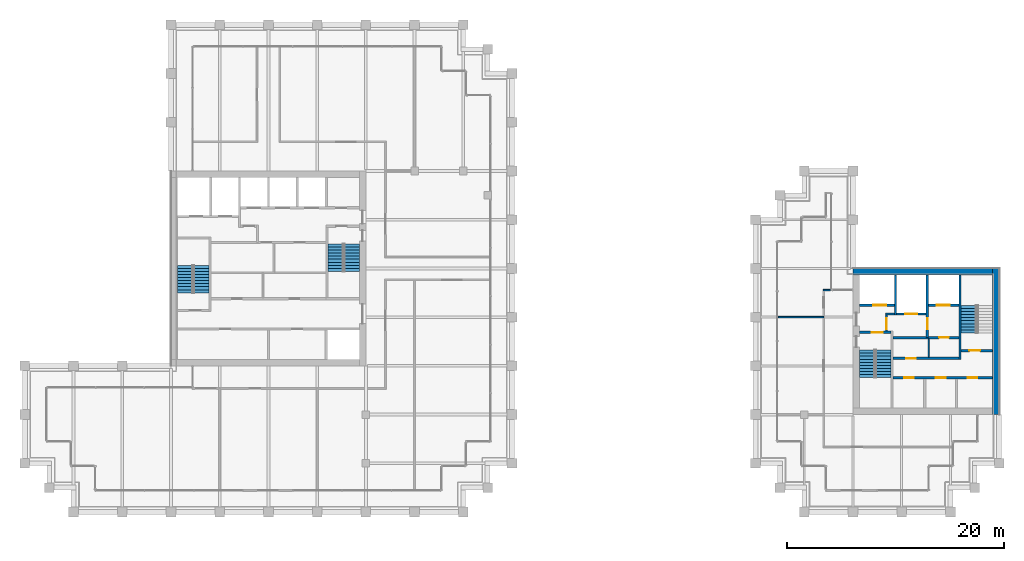
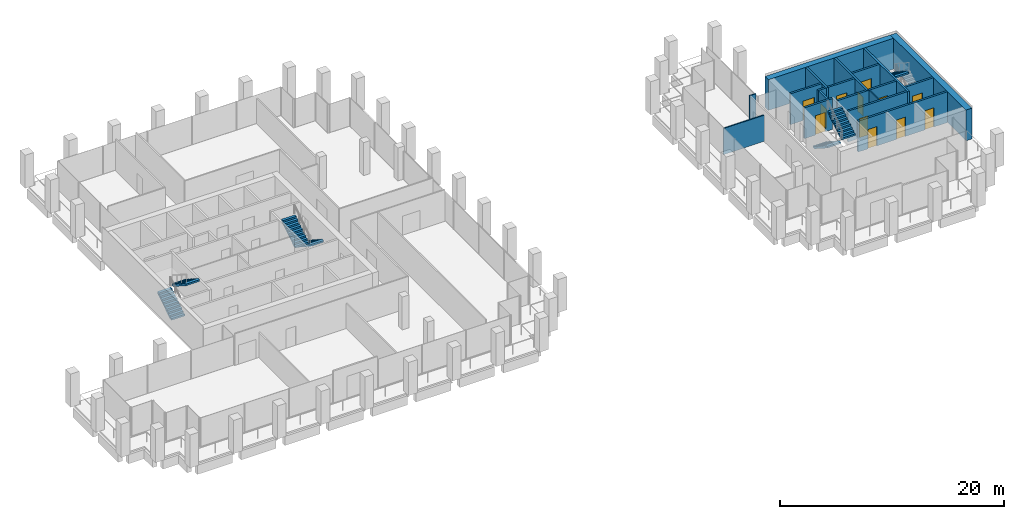
# One storey, part 38 of 40: 18 walls, 12 doors, 7 stair flights, 12 openings, 4 elements without a shape of their own.
"""IFC4 building model written with IfcOpenShell, lengths in metres."""

from ifc_helpers import new_model, si_unit, direction, frame, frame_2d, origin, place, context, subcontext, project, spatial, polyline, rectangle, outline, extrude, material, layer, layer_set, type_object, element, fill, aggregate, save


model = new_model("IFC4")

# Units and contexts
model_context = context("Model", 3, precision=1e-05, world=origin(), true_north=direction((0.0, 1.0)))
body_context = subcontext(model_context, "Body", "Model", "MODEL_VIEW")
ifc_project = project(units=[si_unit("LENGTHUNIT", "METRE"), si_unit("AREAUNIT", "SQUARE_METRE"), si_unit("VOLUMEUNIT", "CUBIC_METRE"), si_unit("PLANEANGLEUNIT", "RADIAN"), si_unit("MASSUNIT", "GRAM", prefix="KILO")], contexts=[model_context])

# Site, building, storey
site_placement = place(None, origin())
site = spatial("IfcSite", under=ifc_project, at=site_placement, CompositionType="ELEMENT")
building_placement = place(site_placement, origin())
building = spatial("IfcBuilding", under=site, at=building_placement, Name="Altepetl Exchange Towers", CompositionType="ELEMENT")
storey_placement = place(building_placement, frame((0.0, 0.0, 158.199951171875)))
storey = spatial("IfcBuildingStorey", under=building, at=storey_placement, Name="L39", CompositionType="ELEMENT", Elevation=158.199951171875)

# Walls
ifc_material_1 = material(Name="Concrete C70/85", Category="concrete")
ifc_layer_1 = layer(ifc_material_1, 0.60009765625)
ifc_layer_set_1 = layer_set([ifc_layer_1], Name="Concrete C70/85")
wall_type_1 = type_object("IfcWallType", Name="Core wall 600 reinforced concrete external", PredefinedType="SHEAR", material=ifc_layer_set_1)
wall_1_placement = place(storey_placement, frame((116.699951171875, 36.0, 0.0), z_axis=(0.0, 0.0, 1.0), x_axis=(0.0, 1.0, 0.0)))
element("IfcWall", 1, at=wall_1_placement, inside=storey, type_object=wall_type_1, Name="wall:B:L39:K-coreE", PredefinedType="SHEAR", context=body_context, shape_type="SweptSolid", body=[
    extrude(rectangle(XDim=13.5, YDim=0.60009765625, at=frame_2d((6.75, 0.0))), origin(), (0.0, 0.0, 1.0), 3.35009765625),
])
wall_2_placement = place(storey_placement, frame((103.5, 49.199951171875, 0.0)))
element("IfcWall", 2, at=wall_2_placement, inside=storey, type_object=wall_type_1, Name="wall:B:L39:K-coreN", PredefinedType="SHEAR", context=body_context, shape_type="SweptSolid", body=[
    extrude(rectangle(XDim=12.89990234375, YDim=0.60009765625, at=frame_2d((6.449951171875, 0.0))), origin(), (0.0, 0.0, 1.0), 3.35009765625),
])
ifc_material_2 = material(Name="Concrete blockwork", Category="masonry")
ifc_layer_2 = layer(ifc_material_2, 0.199951171875)
ifc_layer_set_2 = layer_set([ifc_layer_2], Name="Concrete blockwork")
wall_type_2 = type_object("IfcWallType", Name="Lobby wall 200 blockwork", PredefinedType="PARTITIONING", material=ifc_layer_set_2)
wall_3_placement = place(storey_placement, frame((106.5, 45.300048828125, 0.0)))
element("IfcWall", 3, at=wall_3_placement, inside=storey, type_object=wall_type_2, Name="wall:B:L39:K-ffNw", PredefinedType="PARTITIONING", context=body_context, shape_type="SweptSolid", body=[
    extrude(rectangle(XDim=0.833251953125, YDim=0.199951171875, at=frame_2d((0.41650390625, 0.0))), origin(), (0.0, 0.0, 1.0), 3.35009765625),
])

# Wall, opening, door
wall_4_placement = place(storey_placement, frame((106.60009765625, 43.699951171875, 0.0), z_axis=(0.0, 0.0, 1.0), x_axis=(0.0, 1.0, 0.0)))
wall_4 = element("IfcWall", 4, at=wall_4_placement, inside=storey, type_object=wall_type_2, Name="wall:B:L39:K-ffW", PredefinedType="PARTITIONING", context=body_context, shape_type="SweptSolid", body=[
    extrude(rectangle(XDim=1.5, YDim=0.199951171875, at=frame_2d((0.75, 0.0))), origin(), (0.0, 0.0, 1.0), 3.35009765625),
])
opening_1_placement = place(wall_4_placement, frame((0.199951171875, 0.0, 0.0)))
opening_1 = element("IfcOpeningElement", 5, at=opening_1_placement, cuts=wall_4, Name="Opening L39.B65", PredefinedType="OPENING", context=body_context, shape_type="SweptSolid", body=[
    extrude(rectangle(XDim=1.0, YDim=2.10009765625, at=frame_2d((0.5, 1.050048828125))), frame((0.0, 0.10986328125, 0.0), z_axis=(0.0, -1.0, 0.0), x_axis=(1.0, 0.0, 0.0)), (0.0, 0.0, 1.0), 0.219970703125),
])
ifc_material_3 = material(Name="Steel and timber fire door", Category="steel")
door_type_1 = type_object("IfcDoorType", Name="Fire door 1000 x 2100 stair and lobby", OperationType="SINGLE_SWING_LEFT", PredefinedType="DOOR", material=ifc_material_3)
door_1_placement = place(opening_1_placement, frame((1.0, 0.0, 0.0), x_axis=(-1.0, 0.0, 0.0)))
door_1 = element("IfcDoor", 6, at=door_1_placement, inside=storey, type_object=door_type_1, Name="door:B:L39:K-dffW", OperationType="SINGLE_SWING_LEFT", OverallHeight=2.10009765625, OverallWidth=1.0, PredefinedType="DOOR", context=body_context, shape_type="SweptSolid", body=[
    extrude(rectangle(XDim=1.0, YDim=2.10009765625, at=frame_2d((0.5, 1.050048828125))), frame((0.0, 0.02490234375, 0.0), z_axis=(0.0, -1.0, 0.0), x_axis=(1.0, 0.0, 0.0)), (0.0, 0.0, 1.0), 0.050048828125),
])
fill(opening_1, door_1)

wall_5_placement = place(storey_placement, frame((107.199951171875, 43.10009765625, 0.0)))
wall_5 = element("IfcWall", 7, at=wall_5_placement, inside=storey, type_object=wall_type_2, Name="wall:B:L39:K-zoneN", PredefinedType="PARTITIONING", context=body_context, shape_type="SweptSolid", body=[
    extrude(rectangle(XDim=6.10009765625, YDim=0.199951171875, at=frame_2d((3.050048828125, 0.0))), origin(), (0.0, 0.0, 1.0), 3.35009765625),
])
opening_2_placement = place(wall_5_placement, frame((4.258544921875, 0.0, 0.0)))
opening_2 = element("IfcOpeningElement", 8, at=opening_2_placement, cuts=wall_5, Name="Opening L39.B70", PredefinedType="OPENING", context=body_context, shape_type="SweptSolid", body=[
    extrude(rectangle(XDim=0.89990234375, YDim=2.10009765625, at=frame_2d((0.449951171875, 1.050048828125))), frame((0.0, 0.10986328125, 0.0), z_axis=(0.0, -1.0, 0.0), x_axis=(1.0, 0.0, 0.0)), (0.0, 0.0, 1.0), 0.219970703125),
])
door_type_2 = type_object("IfcDoorType", Name="Fire door 900 x 2100 service room", OperationType="SINGLE_SWING_LEFT", PredefinedType="DOOR", material=ifc_material_3)
door_2_placement = place(opening_2_placement, frame((0.89990234375, 0.0, 0.0), x_axis=(-1.0, 0.0, 0.0)))
door_2 = element("IfcDoor", 9, at=door_2_placement, inside=storey, type_object=door_type_2, Name="door:B:L39:K-dz2", OperationType="SINGLE_SWING_LEFT", OverallHeight=2.10009765625, OverallWidth=0.89990234375, PredefinedType="DOOR", context=body_context, shape_type="SweptSolid", body=[
    extrude(rectangle(XDim=0.89990234375, YDim=2.10009765625, at=frame_2d((0.449951171875, 1.050048828125))), frame((0.0, 0.02490234375, 0.0), z_axis=(0.0, -1.0, 0.0), x_axis=(1.0, 0.0, 0.0)), (0.0, 0.0, 1.0), 0.050048828125),
])
fill(opening_2, door_2)

wall_6_placement = place(storey_placement, frame((107.199951171875, 41.199951171875, 0.0)))
wall_6 = element("IfcWall", 10, at=wall_6_placement, inside=storey, type_object=wall_type_2, Name="wall:B:L39:K-zoneS", PredefinedType="PARTITIONING", context=body_context, shape_type="SweptSolid", body=[
    extrude(rectangle(XDim=6.10009765625, YDim=0.199951171875, at=frame_2d((3.050048828125, 0.0))), origin(), (0.0, 0.0, 1.0), 3.35009765625),
])
opening_3_placement = place(wall_6_placement, frame((1.199951171875, 0.0, 0.0)))
opening_3 = element("IfcOpeningElement", 11, at=opening_3_placement, cuts=wall_6, Name="Opening L39.B69", PredefinedType="OPENING", context=body_context, shape_type="SweptSolid", body=[
    extrude(rectangle(XDim=0.89990234375, YDim=2.10009765625, at=frame_2d((0.449951171875, 1.050048828125))), frame((0.0, 0.10986328125, 0.0), z_axis=(0.0, -1.0, 0.0), x_axis=(1.0, 0.0, 0.0)), (0.0, 0.0, 1.0), 0.219970703125),
])
door_3_placement = place(opening_3_placement, origin())
door_3 = element("IfcDoor", 12, at=door_3_placement, inside=storey, type_object=door_type_2, Name="door:B:L39:K-dz1", OperationType="SINGLE_SWING_RIGHT", OverallHeight=2.10009765625, OverallWidth=0.89990234375, PredefinedType="DOOR", context=body_context, shape_type="SweptSolid", body=[
    extrude(rectangle(XDim=0.89990234375, YDim=2.10009765625, at=frame_2d((0.449951171875, 1.050048828125))), frame((0.0, 0.02490234375, 0.0), z_axis=(0.0, -1.0, 0.0), x_axis=(1.0, 0.0, 0.0)), (0.0, 0.0, 1.0), 0.050048828125),
])
fill(opening_3, door_3)

# Walls
ifc_material_4 = material(Name="Gypsum board on steel studs", Category="steel")
ifc_layer_3 = layer(ifc_material_4, 0.125)
ifc_layer_set_3 = layer_set([ifc_layer_3], Name="Gypsum board on steel studs")
wall_type_3 = type_object("IfcWallType", Name="Partition 125 gypsum board on steel studs", PredefinedType="PARTITIONING", material=ifc_layer_set_3)
wall_7_placement = place(storey_placement, frame((110.5, 41.300048828125, 0.0), z_axis=(0.0, 0.0, 1.0), x_axis=(0.0, 1.0, 0.0)))
element("IfcWall", 13, at=wall_7_placement, inside=storey, type_object=wall_type_3, Name="wall:B:L39:K-zp1", PredefinedType="PARTITIONING", context=body_context, shape_type="SweptSolid", body=[
    extrude(rectangle(XDim=1.699951171875, YDim=0.125, at=frame_2d((0.85009765625, 0.0))), origin(), (0.0, 0.0, 1.0), 3.35009765625),
])
wall_8_placement = place(storey_placement, frame((96.60009765625, 45.0, 0.0)))
element("IfcWall", 14, at=wall_8_placement, inside=storey, type_object=wall_type_3, Name="wall:B:L39:P04", PredefinedType="PARTITIONING", context=body_context, shape_type="SweptSolid", body=[
    extrude(rectangle(XDim=4.199951171875, YDim=0.125, at=frame_2d((2.10009765625, 0.0))), origin(), (0.0, 0.0, 1.0), 2.85107421875),
])
wall_9_placement = place(storey_placement, frame((100.737548828125, 47.5, 0.0)))
element("IfcWall", 15, at=wall_9_placement, inside=storey, type_object=wall_type_3, Name="wall:B:L39:P05", PredefinedType="PARTITIONING", context=body_context, shape_type="SweptSolid", body=[
    extrude(rectangle(XDim=0.662353515625, YDim=0.125, at=frame_2d((0.3310546875, 0.0))), origin(), (0.0, 0.0, 1.0), 3.449951171875),
])
ifc_material_5 = material(Name="Concrete C40/50", Category="concrete")
ifc_layer_4 = layer(ifc_material_5, 0.199951171875)
ifc_layer_set_4 = layer_set([ifc_layer_4], Name="Concrete C40/50")
wall_type_4 = type_object("IfcWallType", Name="Shaft wall 200 reinforced concrete", PredefinedType="SHEAR", material=ifc_layer_set_4)
wall_10_placement = place(storey_placement, frame((107.433349609375, 48.89990234375, 0.0), z_axis=(0.0, 0.0, 1.0), x_axis=(0.0, -1.0, 0.0)))
element("IfcWall", 16, at=wall_10_placement, inside=storey, type_object=wall_type_4, Name="wall:B:L39:K-divN1", PredefinedType="SHEAR", context=body_context, shape_type="SweptSolid", body=[
    extrude(rectangle(XDim=3.699951171875, YDim=0.199951171875, at=frame_2d((1.85009765625, 0.0))), origin(), (0.0, 0.0, 1.0), 3.35009765625),
])

# Wall, opening, door
wall_11_placement = place(storey_placement, frame((110.36669921875, 48.89990234375, 0.0), z_axis=(0.0, 0.0, 1.0), x_axis=(0.0, -1.0, 0.0)))
wall_11 = element("IfcWall", 17, at=wall_11_placement, inside=storey, type_object=wall_type_4, Name="wall:B:L39:K-divN2", PredefinedType="SHEAR", context=body_context, shape_type="SweptSolid", body=[
    extrude(rectangle(XDim=5.7998046875, YDim=0.199951171875, at=frame_2d((2.89990234375, 0.0))), origin(), (0.0, 0.0, 1.0), 3.35009765625),
])
opening_4_placement = place(wall_11_placement, frame((4.0, 0.0, 0.0)))
opening_4 = element("IfcOpeningElement", 18, at=opening_4_placement, cuts=wall_11, Name="Opening L39.B64", PredefinedType="OPENING", context=body_context, shape_type="SweptSolid", body=[
    extrude(rectangle(XDim=1.0, YDim=2.10009765625, at=frame_2d((0.5, 1.050048828125))), frame((0.0, 0.10986328125, 0.0), z_axis=(0.0, -1.0, 0.0), x_axis=(1.0, 0.0, 0.0)), (0.0, 0.0, 1.0), 0.219970703125),
])
door_4_placement = place(opening_4_placement, frame((1.0, 0.0, 0.0), x_axis=(-1.0, 0.0, 0.0)))
door_4 = element("IfcDoor", 19, at=door_4_placement, inside=storey, type_object=door_type_1, Name="door:B:L39:K-dffE", OperationType="SINGLE_SWING_RIGHT", OverallHeight=2.10009765625, OverallWidth=1.0, PredefinedType="DOOR", context=body_context, shape_type="SweptSolid", body=[
    extrude(rectangle(XDim=1.0, YDim=2.10009765625, at=frame_2d((0.5, 1.050048828125))), frame((0.0, 0.02490234375, 0.0), z_axis=(0.0, -1.0, 0.0), x_axis=(1.0, 0.0, 0.0)), (0.0, 0.0, 1.0), 0.050048828125),
])
fill(opening_4, door_4)

wall_12_placement = place(storey_placement, frame((104.10009765625, 46.10009765625, 0.0)))
wall_12 = element("IfcWall", 20, at=wall_12_placement, inside=storey, type_object=wall_type_4, Name="wall:B:L39:K-frontNa", PredefinedType="SHEAR", context=body_context, shape_type="SweptSolid", body=[
    extrude(rectangle(XDim=3.233154296875, YDim=0.199951171875, at=frame_2d((1.61669921875, 0.0))), origin(), (0.0, 0.0, 1.0), 3.35009765625),
])
opening_5_placement = place(wall_12_placement, frame((1.2666015625, 0.0, 0.0)))
opening_5 = element("IfcOpeningElement", 21, at=opening_5_placement, cuts=wall_12, Name="Opening L39.B72", PredefinedType="OPENING", context=body_context, shape_type="SweptSolid", body=[
    extrude(rectangle(XDim=1.199951171875, YDim=2.10009765625, at=frame_2d((0.60009765625, 1.050048828125))), frame((0.0, 0.10986328125, 0.0), z_axis=(0.0, -1.0, 0.0), x_axis=(1.0, 0.0, 0.0)), (0.0, 0.0, 1.0), 0.219970703125),
])
ifc_material_6 = material(Name="Stainless steel", Category="steel")
door_type_3 = type_object("IfcDoorType", Name="Lift landing door 1200 x 2100", OperationType="SLIDING_TO_LEFT", PredefinedType="DOOR", material=ifc_material_6)
door_5_placement = place(opening_5_placement, origin())
door_5 = element("IfcDoor", 22, at=door_5_placement, inside=storey, type_object=door_type_3, Name="Landing door P4", OperationType="SLIDING_TO_LEFT", OverallHeight=2.10009765625, OverallWidth=1.199951171875, PredefinedType="DOOR", context=body_context, shape_type="SweptSolid", body=[
    extrude(rectangle(XDim=1.199951171875, YDim=2.10009765625, at=frame_2d((0.60009765625, 1.050048828125))), frame((0.0, 0.02490234375, 0.0), z_axis=(0.0, -1.0, 0.0), x_axis=(1.0, 0.0, 0.0)), (0.0, 0.0, 1.0), 0.050048828125),
])
fill(opening_5, door_5)

wall_13_placement = place(storey_placement, frame((110.466796875, 46.10009765625, 0.0)))
wall_13 = element("IfcWall", 23, at=wall_13_placement, inside=storey, type_object=wall_type_4, Name="wall:B:L39:K-frontNb", PredefinedType="SHEAR", context=body_context, shape_type="SweptSolid", body=[
    extrude(rectangle(XDim=2.833251953125, YDim=0.199951171875, at=frame_2d((1.41650390625, 0.0))), origin(), (0.0, 0.0, 1.0), 3.35009765625),
])
opening_6_placement = place(wall_13_placement, frame((0.7666015625, 0.0, 0.0)))
opening_6 = element("IfcOpeningElement", 24, at=opening_6_placement, cuts=wall_13, Name="Opening L39.B73", PredefinedType="OPENING", context=body_context, shape_type="SweptSolid", body=[
    extrude(rectangle(XDim=1.199951171875, YDim=2.10009765625, at=frame_2d((0.60009765625, 1.050048828125))), frame((0.0, 0.10986328125, 0.0), z_axis=(0.0, -1.0, 0.0), x_axis=(1.0, 0.0, 0.0)), (0.0, 0.0, 1.0), 0.219970703125),
])
door_6_placement = place(opening_6_placement, origin())
door_6 = element("IfcDoor", 25, at=door_6_placement, inside=storey, type_object=door_type_3, Name="Landing door P5", OperationType="SLIDING_TO_LEFT", OverallHeight=2.10009765625, OverallWidth=1.199951171875, PredefinedType="DOOR", context=body_context, shape_type="SweptSolid", body=[
    extrude(rectangle(XDim=1.199951171875, YDim=2.10009765625, at=frame_2d((0.60009765625, 1.050048828125))), frame((0.0, 0.02490234375, 0.0), z_axis=(0.0, -1.0, 0.0), x_axis=(1.0, 0.0, 0.0)), (0.0, 0.0, 1.0), 0.050048828125),
])
fill(opening_6, door_6)

wall_14_placement = place(storey_placement, frame((107.533203125, 45.300048828125, 0.0)))
wall_14 = element("IfcWall", 26, at=wall_14_placement, inside=storey, type_object=wall_type_4, Name="wall:B:L39:K-frontNd", PredefinedType="SHEAR", context=body_context, shape_type="SweptSolid", body=[
    extrude(rectangle(XDim=2.7333984375, YDim=0.199951171875, at=frame_2d((1.36669921875, 0.0))), origin(), (0.0, 0.0, 1.0), 3.35009765625),
])
opening_7_placement = place(wall_14_placement, frame((0.816650390625, 0.0, 0.0)))
opening_7 = element("IfcOpeningElement", 27, at=opening_7_placement, cuts=wall_14, Name="Opening L39.B71", PredefinedType="OPENING", context=body_context, shape_type="SweptSolid", body=[
    extrude(rectangle(XDim=1.10009765625, YDim=2.10009765625, at=frame_2d((0.550048828125, 1.050048828125))), frame((0.0, 0.10986328125, 0.0), z_axis=(0.0, -1.0, 0.0), x_axis=(1.0, 0.0, 0.0)), (0.0, 0.0, 1.0), 0.219970703125),
])
door_type_4 = type_object("IfcDoorType", Name="Lift landing door 1100 x 2100", OperationType="SLIDING_TO_LEFT", PredefinedType="DOOR", material=ifc_material_6)
door_7_placement = place(opening_7_placement, origin())
door_7 = element("IfcDoor", 28, at=door_7_placement, inside=storey, type_object=door_type_4, Name="Landing door FFL1", OperationType="SLIDING_TO_LEFT", OverallHeight=2.10009765625, OverallWidth=1.10009765625, PredefinedType="DOOR", context=body_context, shape_type="SweptSolid", body=[
    extrude(rectangle(XDim=1.10009765625, YDim=2.10009765625, at=frame_2d((0.550048828125, 1.050048828125))), frame((0.0, 0.02490234375, 0.0), z_axis=(0.0, -1.0, 0.0), x_axis=(1.0, 0.0, 0.0)), (0.0, 0.0, 1.0), 0.050048828125),
])
fill(opening_7, door_7)

# Wall, openings, doors
wall_15_placement = place(storey_placement, frame((107.199951171875, 39.39990234375, 0.0)))
wall_15 = element("IfcWall", 29, at=wall_15_placement, inside=storey, type_object=wall_type_4, Name="wall:B:L39:K-frontS", PredefinedType="SHEAR", context=body_context, shape_type="SweptSolid", body=[
    extrude(rectangle(XDim=9.199951171875, YDim=0.199951171875, at=frame_2d((4.60009765625, 0.0))), origin(), (0.0, 0.0, 1.0), 3.35009765625),
])
opening_8_placement = place(wall_15_placement, frame((1.0166015625, 0.0, 0.0)))
opening_8 = element("IfcOpeningElement", 30, at=opening_8_placement, cuts=wall_15, Name="Opening L39.B66", PredefinedType="OPENING", context=body_context, shape_type="SweptSolid", body=[
    extrude(rectangle(XDim=0.89990234375, YDim=2.10009765625, at=frame_2d((0.449951171875, 1.050048828125))), frame((0.0, 0.10986328125, 0.0), z_axis=(0.0, -1.0, 0.0), x_axis=(1.0, 0.0, 0.0)), (0.0, 0.0, 1.0), 0.219970703125),
])
opening_9_placement = place(wall_15_placement, frame((3.949951171875, 0.0, 0.0)))
opening_9 = element("IfcOpeningElement", 31, at=opening_9_placement, cuts=wall_15, Name="Opening L39.B67", PredefinedType="OPENING", context=body_context, shape_type="SweptSolid", body=[
    extrude(rectangle(XDim=0.89990234375, YDim=2.10009765625, at=frame_2d((0.449951171875, 1.050048828125))), frame((0.0, 0.10986328125, 0.0), z_axis=(0.0, -1.0, 0.0), x_axis=(1.0, 0.0, 0.0)), (0.0, 0.0, 1.0), 0.219970703125),
])
opening_10_placement = place(wall_15_placement, frame((6.88330078125, 0.0, 0.0)))
opening_10 = element("IfcOpeningElement", 32, at=opening_10_placement, cuts=wall_15, Name="Opening L39.B68", PredefinedType="OPENING", context=body_context, shape_type="SweptSolid", body=[
    extrude(rectangle(XDim=0.89990234375, YDim=2.10009765625, at=frame_2d((0.449951171875, 1.050048828125))), frame((0.0, 0.10986328125, 0.0), z_axis=(0.0, -1.0, 0.0), x_axis=(1.0, 0.0, 0.0)), (0.0, 0.0, 1.0), 0.219970703125),
])
door_8_placement = place(opening_8_placement, frame((0.89990234375, 0.0, 0.0), x_axis=(-1.0, 0.0, 0.0)))
door_8 = element("IfcDoor", 33, at=door_8_placement, inside=storey, type_object=door_type_2, Name="door:B:L39:K-dslotS0", OperationType="SINGLE_SWING_LEFT", OverallHeight=2.10009765625, OverallWidth=0.89990234375, PredefinedType="DOOR", context=body_context, shape_type="SweptSolid", body=[
    extrude(rectangle(XDim=0.89990234375, YDim=2.10009765625, at=frame_2d((0.449951171875, 1.050048828125))), frame((0.0, 0.02490234375, 0.0), z_axis=(0.0, -1.0, 0.0), x_axis=(1.0, 0.0, 0.0)), (0.0, 0.0, 1.0), 0.050048828125),
])
fill(opening_8, door_8)
door_9_placement = place(opening_9_placement, frame((0.89990234375, 0.0, 0.0), x_axis=(-1.0, 0.0, 0.0)))
door_9 = element("IfcDoor", 34, at=door_9_placement, inside=storey, type_object=door_type_2, Name="door:B:L39:K-dslotS1", OperationType="SINGLE_SWING_LEFT", OverallHeight=2.10009765625, OverallWidth=0.89990234375, PredefinedType="DOOR", context=body_context, shape_type="SweptSolid", body=[
    extrude(rectangle(XDim=0.89990234375, YDim=2.10009765625, at=frame_2d((0.449951171875, 1.050048828125))), frame((0.0, 0.02490234375, 0.0), z_axis=(0.0, -1.0, 0.0), x_axis=(1.0, 0.0, 0.0)), (0.0, 0.0, 1.0), 0.050048828125),
])
fill(opening_9, door_9)
door_10_placement = place(opening_10_placement, frame((0.89990234375, 0.0, 0.0), x_axis=(-1.0, 0.0, 0.0)))
door_10 = element("IfcDoor", 35, at=door_10_placement, inside=storey, type_object=door_type_2, Name="door:B:L39:K-dslotS2", OperationType="SINGLE_SWING_LEFT", OverallHeight=2.10009765625, OverallWidth=0.89990234375, PredefinedType="DOOR", context=body_context, shape_type="SweptSolid", body=[
    extrude(rectangle(XDim=0.89990234375, YDim=2.10009765625, at=frame_2d((0.449951171875, 1.050048828125))), frame((0.0, 0.02490234375, 0.0), z_axis=(0.0, -1.0, 0.0), x_axis=(1.0, 0.0, 0.0)), (0.0, 0.0, 1.0), 0.050048828125),
])
fill(opening_10, door_10)

# Wall, opening, door
ifc_layer_5 = layer(ifc_material_5, 0.199951171875)
ifc_layer_set_5 = layer_set([ifc_layer_5], Name="Concrete C40/50")
wall_type_5 = type_object("IfcWallType", Name="Stair wall 200 reinforced concrete", PredefinedType="SHEAR", material=ifc_layer_set_5)
wall_16_placement = place(storey_placement, frame((104.10009765625, 43.60009765625, 0.0)))
wall_16 = element("IfcWall", 36, at=wall_16_placement, inside=storey, type_object=wall_type_5, Name="wall:B:L39:K-stS1N", PredefinedType="SHEAR", context=body_context, shape_type="SweptSolid", body=[
    extrude(rectangle(XDim=2.89990234375, YDim=0.199951171875, at=frame_2d((1.449951171875, 0.0))), origin(), (0.0, 0.0, 1.0), 3.35009765625),
])
opening_11_placement = place(wall_16_placement, frame((1.14990234375, 0.0, 0.0)))
opening_11 = element("IfcOpeningElement", 37, at=opening_11_placement, cuts=wall_16, Name="Opening L39.B61", PredefinedType="OPENING", context=body_context, shape_type="SweptSolid", body=[
    extrude(rectangle(XDim=1.0, YDim=2.10009765625, at=frame_2d((0.5, 1.050048828125))), frame((0.0, 0.10986328125, 0.0), z_axis=(0.0, -1.0, 0.0), x_axis=(1.0, 0.0, 0.0)), (0.0, 0.0, 1.0), 0.219970703125),
])
door_11_placement = place(opening_11_placement, frame((1.0, 0.0, 0.0), x_axis=(-1.0, 0.0, 0.0)))
door_11 = element("IfcDoor", 38, at=door_11_placement, inside=storey, type_object=door_type_1, Name="door:B:L39:K-dS1in", OperationType="SINGLE_SWING_LEFT", OverallHeight=2.10009765625, OverallWidth=1.0, PredefinedType="DOOR", context=body_context, shape_type="SweptSolid", body=[
    extrude(rectangle(XDim=1.0, YDim=2.10009765625, at=frame_2d((0.5, 1.050048828125))), frame((0.0, 0.02490234375, 0.0), z_axis=(0.0, -1.0, 0.0), x_axis=(1.0, 0.0, 0.0)), (0.0, 0.0, 1.0), 0.050048828125),
])
fill(opening_11, door_11)

wall_17_placement = place(storey_placement, frame((113.5, 41.89990234375, 0.0)))
wall_17 = element("IfcWall", 39, at=wall_17_placement, inside=storey, type_object=wall_type_5, Name="wall:B:L39:K-stS2S", PredefinedType="SHEAR", context=body_context, shape_type="SweptSolid", body=[
    extrude(rectangle(XDim=2.89990234375, YDim=0.199951171875, at=frame_2d((1.449951171875, 0.0))), origin(), (0.0, 0.0, 1.0), 3.35009765625),
])
opening_12_placement = place(wall_17_placement, frame((0.75, 0.0, 0.0)))
opening_12 = element("IfcOpeningElement", 40, at=opening_12_placement, cuts=wall_17, Name="Opening L39.B63", PredefinedType="OPENING", context=body_context, shape_type="SweptSolid", body=[
    extrude(rectangle(XDim=1.0, YDim=2.10009765625, at=frame_2d((0.5, 1.050048828125))), frame((0.0, 0.10986328125, 0.0), z_axis=(0.0, -1.0, 0.0), x_axis=(1.0, 0.0, 0.0)), (0.0, 0.0, 1.0), 0.219970703125),
])
door_12_placement = place(opening_12_placement, origin())
door_12 = element("IfcDoor", 41, at=door_12_placement, inside=storey, type_object=door_type_1, Name="door:B:L39:K-dS2in", OperationType="SINGLE_SWING_RIGHT", OverallHeight=2.10009765625, OverallWidth=1.0, PredefinedType="DOOR", context=body_context, shape_type="SweptSolid", body=[
    extrude(rectangle(XDim=1.0, YDim=2.10009765625, at=frame_2d((0.5, 1.050048828125))), frame((0.0, 0.02490234375, 0.0), z_axis=(0.0, -1.0, 0.0), x_axis=(1.0, 0.0, 0.0)), (0.0, 0.0, 1.0), 0.050048828125),
])
fill(opening_12, door_12)

# Wall
wall_18_placement = place(storey_placement, frame((113.39990234375, 41.10009765625, 0.0), z_axis=(0.0, 0.0, 1.0), x_axis=(0.0, 1.0, 0.0)))
element("IfcWall", 42, at=wall_18_placement, inside=storey, type_object=wall_type_5, Name="wall:B:L39:K-stS2W", PredefinedType="SHEAR", context=body_context, shape_type="SweptSolid", body=[
    extrude(rectangle(XDim=7.7998046875, YDim=0.199951171875, at=frame_2d((3.89990234375, 0.0))), origin(), (0.0, 0.0, 1.0), 3.35009765625),
])

# Stair, stair flights
stair_type = type_object("IfcStairType", Name="Exit stair 1400 flights dogleg", PredefinedType="HALF_TURN_STAIR", material=ifc_material_5)
stair_1_placement = place(storey_placement, origin())
stair_1 = element("IfcStair", 43, at=stair_1_placement, inside=storey, type_object=stair_type, Name="Exit stair 1", PredefinedType="HALF_TURN_STAIR")
stair_flight_type = type_object("IfcStairFlightType", Name="Stair flight 1400 wide", PredefinedType="STRAIGHT", material=ifc_material_5)
stair_flight_1_placement = place(storey_placement, frame((41.800048828125, 47.25, 0.0), z_axis=(0.0, 0.0, 1.0), x_axis=(0.0, 1.0, 0.0)))
stair_flight_1 = element("IfcStairFlight", 44, at=stair_flight_1_placement, type_object=stair_flight_type, Name="ST-A1e flight 1", NumberOfRisers=10, NumberOfTreads=9, PredefinedType="STRAIGHT", RiserHeight=0.18, TreadLength=0.28, context=body_context, shape_type="SweptSolid", body=[
    extrude(outline(polyline([(0.0, 0.0), (0.0, 0.179931640625), (0.280029296875, 0.179931640625), (0.280029296875, 0.360107421875), (0.56005859375, 0.360107421875), (0.56005859375, 0.5400390625), (0.840087890625, 0.5400390625), (0.840087890625, 0.719970703125), (1.1201171875, 0.719970703125), (1.1201171875, 0.89990234375), (1.39990234375, 0.89990234375), (1.39990234375, 1.080078125), (1.679931640625, 1.080078125), (1.679931640625, 1.260009765625), (1.9599609375, 1.260009765625), (1.9599609375, 1.43994140625), (2.239990234375, 1.43994140625), (2.239990234375, 1.6201171875), (2.52001953125, 1.6201171875), (2.52001953125, 1.800048828125), (2.52001953125, 1.44189453125), (0.277099609375, 0.0), (0.0, 0.0)])), frame((0.0, 0.699951171875, 0.0), z_axis=(0.0, -1.0, 0.0), x_axis=(1.0, 0.0, 0.0)), (0.0, 0.0, 1.0), 1.39990234375),
])
stair_flight_2_placement = place(storey_placement, frame((43.300048828125, 49.77001953125, 1.800048828125), z_axis=(0.0, 0.0, 1.0), x_axis=(0.0, -1.0, 0.0)))
stair_flight_2 = element("IfcStairFlight", 45, at=stair_flight_2_placement, type_object=stair_flight_type, Name="ST-A1e flight 2", NumberOfRisers=10, NumberOfTreads=9, PredefinedType="STRAIGHT", RiserHeight=0.18, TreadLength=0.28, context=body_context, shape_type="SweptSolid", body=[
    extrude(outline(polyline([(0.0, 0.0), (0.0, 0.179931640625), (0.280029296875, 0.179931640625), (0.280029296875, 0.360107421875), (0.56005859375, 0.360107421875), (0.56005859375, 0.5400390625), (0.840087890625, 0.5400390625), (0.840087890625, 0.719970703125), (1.1201171875, 0.719970703125), (1.1201171875, 0.89990234375), (1.39990234375, 0.89990234375), (1.39990234375, 1.080078125), (1.679931640625, 1.080078125), (1.679931640625, 1.260009765625), (1.9599609375, 1.260009765625), (1.9599609375, 1.43994140625), (2.239990234375, 1.43994140625), (2.239990234375, 1.6201171875), (2.52001953125, 1.6201171875), (2.52001953125, 1.800048828125), (2.52001953125, 1.44189453125), (0.277099609375, 0.0), (0.0, 0.0)])), frame((0.0, 0.699951171875, 0.0), z_axis=(0.0, -1.0, 0.0), x_axis=(1.0, 0.0, 0.0)), (0.0, 0.0, 1.0), 1.39990234375),
])
aggregate(stair_1, [stair_flight_1, stair_flight_2])

stair_2_placement = place(storey_placement, origin())
stair_2 = element("IfcStair", 46, at=stair_2_placement, inside=storey, type_object=stair_type, Name="Exit stair 2", PredefinedType="HALF_TURN_STAIR")
stair_flight_3_placement = place(storey_placement, frame((57.199951171875, 51.75, 0.0), z_axis=(0.0, 0.0, 1.0), x_axis=(0.0, -1.0, 0.0)))
stair_flight_3 = element("IfcStairFlight", 47, at=stair_flight_3_placement, type_object=stair_flight_type, Name="ST-A2e flight 1", NumberOfRisers=10, NumberOfTreads=9, PredefinedType="STRAIGHT", RiserHeight=0.18, TreadLength=0.28, context=body_context, shape_type="SweptSolid", body=[
    extrude(outline(polyline([(0.0, 0.0), (0.0, 0.179931640625), (0.280029296875, 0.179931640625), (0.280029296875, 0.360107421875), (0.56005859375, 0.360107421875), (0.56005859375, 0.5400390625), (0.840087890625, 0.5400390625), (0.840087890625, 0.719970703125), (1.1201171875, 0.719970703125), (1.1201171875, 0.89990234375), (1.39990234375, 0.89990234375), (1.39990234375, 1.080078125), (1.679931640625, 1.080078125), (1.679931640625, 1.260009765625), (1.9599609375, 1.260009765625), (1.9599609375, 1.43994140625), (2.239990234375, 1.43994140625), (2.239990234375, 1.6201171875), (2.52001953125, 1.6201171875), (2.52001953125, 1.800048828125), (2.52001953125, 1.44189453125), (0.277099609375, 0.0), (0.0, 0.0)])), frame((0.0, 0.699951171875, 0.0), z_axis=(0.0, -1.0, 0.0), x_axis=(1.0, 0.0, 0.0)), (0.0, 0.0, 1.0), 1.39990234375),
])
stair_flight_4_placement = place(storey_placement, frame((55.699951171875, 49.22998046875, 1.800048828125), z_axis=(0.0, 0.0, 1.0), x_axis=(0.0, 1.0, 0.0)))
stair_flight_4 = element("IfcStairFlight", 48, at=stair_flight_4_placement, type_object=stair_flight_type, Name="ST-A2e flight 2", NumberOfRisers=10, NumberOfTreads=9, PredefinedType="STRAIGHT", RiserHeight=0.18, TreadLength=0.28, context=body_context, shape_type="SweptSolid", body=[
    extrude(outline(polyline([(0.0, 0.0), (0.0, 0.179931640625), (0.280029296875, 0.179931640625), (0.280029296875, 0.360107421875), (0.56005859375, 0.360107421875), (0.56005859375, 0.5400390625), (0.840087890625, 0.5400390625), (0.840087890625, 0.719970703125), (1.1201171875, 0.719970703125), (1.1201171875, 0.89990234375), (1.39990234375, 0.89990234375), (1.39990234375, 1.080078125), (1.679931640625, 1.080078125), (1.679931640625, 1.260009765625), (1.9599609375, 1.260009765625), (1.9599609375, 1.43994140625), (2.239990234375, 1.43994140625), (2.239990234375, 1.6201171875), (2.52001953125, 1.6201171875), (2.52001953125, 1.800048828125), (2.52001953125, 1.44189453125), (0.277099609375, 0.0), (0.0, 0.0)])), frame((0.0, 0.699951171875, 0.0), z_axis=(0.0, -1.0, 0.0), x_axis=(1.0, 0.0, 0.0)), (0.0, 0.0, 1.0), 1.39990234375),
])
aggregate(stair_2, [stair_flight_3, stair_flight_4])

stair_3_placement = place(storey_placement, origin())
stair_3 = element("IfcStair", 49, at=stair_3_placement, inside=storey, type_object=stair_type, Name="Exit stair 1", PredefinedType="HALF_TURN_STAIR")
stair_flight_5_placement = place(storey_placement, frame((104.800048828125, 41.949951171875, 0.0), z_axis=(0.0, 0.0, 1.0), x_axis=(0.0, -1.0, 0.0)))
stair_flight_5 = element("IfcStairFlight", 50, at=stair_flight_5_placement, type_object=stair_flight_type, Name="ST-B1e flight 1", NumberOfRisers=10, NumberOfTreads=9, PredefinedType="STRAIGHT", RiserHeight=0.18, TreadLength=0.28, context=body_context, shape_type="SweptSolid", body=[
    extrude(outline(polyline([(0.0, 0.0), (0.0, 0.179931640625), (0.280029296875, 0.179931640625), (0.280029296875, 0.360107421875), (0.56005859375, 0.360107421875), (0.56005859375, 0.5400390625), (0.840087890625, 0.5400390625), (0.840087890625, 0.719970703125), (1.1201171875, 0.719970703125), (1.1201171875, 0.89990234375), (1.39990234375, 0.89990234375), (1.39990234375, 1.080078125), (1.679931640625, 1.080078125), (1.679931640625, 1.260009765625), (1.9599609375, 1.260009765625), (1.9599609375, 1.43994140625), (2.239990234375, 1.43994140625), (2.239990234375, 1.6201171875), (2.52001953125, 1.6201171875), (2.52001953125, 1.800048828125), (2.52001953125, 1.44189453125), (0.277099609375, 0.0), (0.0, 0.0)])), frame((0.0, 0.699951171875, 0.0), z_axis=(0.0, -1.0, 0.0), x_axis=(1.0, 0.0, 0.0)), (0.0, 0.0, 1.0), 1.39990234375),
])
stair_flight_6_placement = place(storey_placement, frame((106.300048828125, 39.429931640625, 1.800048828125), z_axis=(0.0, 0.0, 1.0), x_axis=(0.0, 1.0, 0.0)))
stair_flight_6 = element("IfcStairFlight", 51, at=stair_flight_6_placement, type_object=stair_flight_type, Name="ST-B1e flight 2", NumberOfRisers=10, NumberOfTreads=9, PredefinedType="STRAIGHT", RiserHeight=0.18, TreadLength=0.28, context=body_context, shape_type="SweptSolid", body=[
    extrude(outline(polyline([(0.0, 0.0), (0.0, 0.179931640625), (0.280029296875, 0.179931640625), (0.280029296875, 0.360107421875), (0.56005859375, 0.360107421875), (0.56005859375, 0.5400390625), (0.840087890625, 0.5400390625), (0.840087890625, 0.719970703125), (1.1201171875, 0.719970703125), (1.1201171875, 0.89990234375), (1.39990234375, 0.89990234375), (1.39990234375, 1.080078125), (1.679931640625, 1.080078125), (1.679931640625, 1.260009765625), (1.9599609375, 1.260009765625), (1.9599609375, 1.43994140625), (2.239990234375, 1.43994140625), (2.239990234375, 1.6201171875), (2.52001953125, 1.6201171875), (2.52001953125, 1.800048828125), (2.52001953125, 1.44189453125), (0.277099609375, 0.0), (0.0, 0.0)])), frame((0.0, 0.699951171875, 0.0), z_axis=(0.0, -1.0, 0.0), x_axis=(1.0, 0.0, 0.0)), (0.0, 0.0, 1.0), 1.39990234375),
])
aggregate(stair_3, [stair_flight_5, stair_flight_6])

# Stair, stair flight
stair_4_placement = place(storey_placement, origin())
stair_4 = element("IfcStair", 52, at=stair_4_placement, inside=storey, type_object=stair_type, Name="Exit stair 2", PredefinedType="HALF_TURN_STAIR")
stair_flight_7_placement = place(storey_placement, frame((114.199951171875, 46.070068359375, 1.800048828125), z_axis=(0.0, 0.0, 1.0), x_axis=(0.0, -1.0, 0.0)))
stair_flight_7 = element("IfcStairFlight", 53, at=stair_flight_7_placement, type_object=stair_flight_type, Name="ST-B2e flight 2", NumberOfRisers=10, NumberOfTreads=9, PredefinedType="STRAIGHT", RiserHeight=0.18, TreadLength=0.28, context=body_context, shape_type="SweptSolid", body=[
    extrude(outline(polyline([(0.0, 0.0), (0.0, 0.179931640625), (0.280029296875, 0.179931640625), (0.280029296875, 0.360107421875), (0.56005859375, 0.360107421875), (0.56005859375, 0.5400390625), (0.840087890625, 0.5400390625), (0.840087890625, 0.719970703125), (1.1201171875, 0.719970703125), (1.1201171875, 0.89990234375), (1.39990234375, 0.89990234375), (1.39990234375, 1.080078125), (1.679931640625, 1.080078125), (1.679931640625, 1.260009765625), (1.9599609375, 1.260009765625), (1.9599609375, 1.43994140625), (2.239990234375, 1.43994140625), (2.239990234375, 1.6201171875), (2.52001953125, 1.6201171875), (2.52001953125, 1.800048828125), (2.52001953125, 1.44189453125), (0.277099609375, 0.0), (0.0, 0.0)])), frame((0.0, 0.699951171875, 0.0), z_axis=(0.0, -1.0, 0.0), x_axis=(1.0, 0.0, 0.0)), (0.0, 0.0, 1.0), 1.39990234375),
])
aggregate(stair_4, [stair_flight_7])

save(model, "model.ifc")
